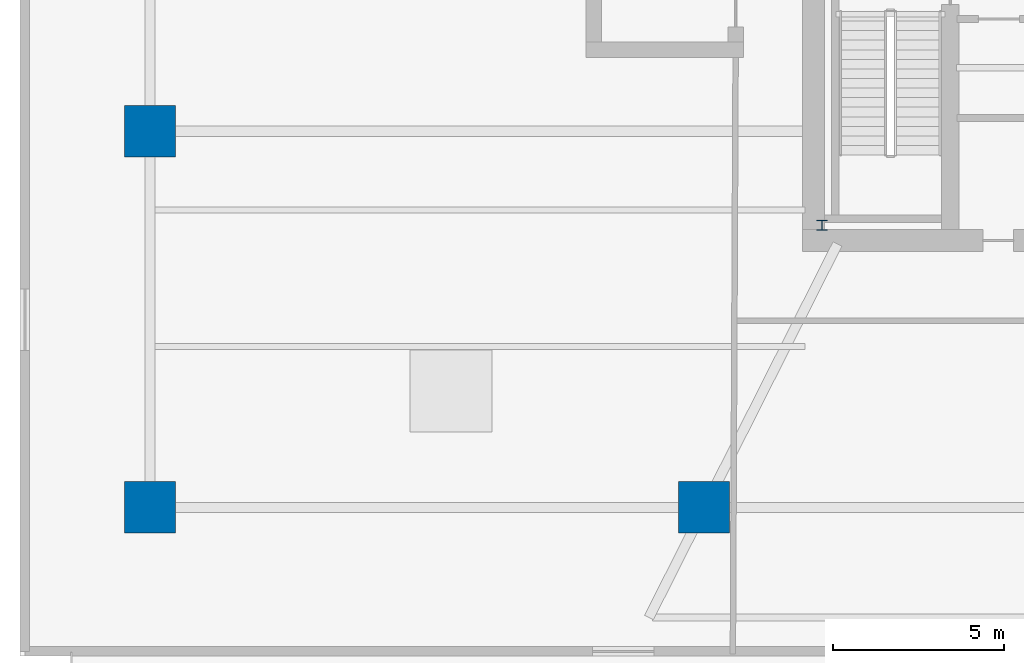
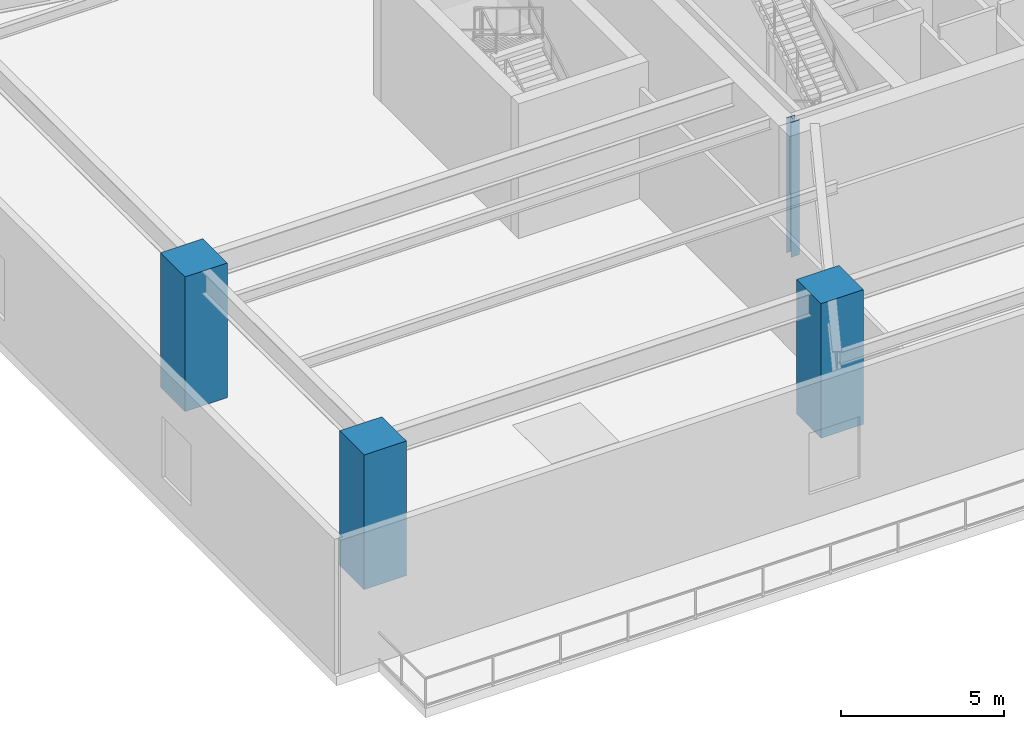
# One storey, part 1 of 11: 4 columns.
"""IFC4 building model written with IfcOpenShell, lengths in metres."""

from ifc_helpers import new_model, si_unit, direction, frame, origin, origin_2d, place, context, subcontext, project, spatial, rectangle, i_section, extrude, material, material_profile, profile_set, type_object, element, save


model = new_model("IFC4")

# Units and contexts
model_context = context("Model", 3, precision=1e-05, world=origin(), true_north=direction((0.0, 1.0)))
body_context = subcontext(model_context, "Body", "Model", "MODEL_VIEW")
ifc_project = project(units=[si_unit("LENGTHUNIT", "METRE"), si_unit("AREAUNIT", "SQUARE_METRE"), si_unit("VOLUMEUNIT", "CUBIC_METRE"), si_unit("PLANEANGLEUNIT", "RADIAN"), si_unit("MASSUNIT", "GRAM", prefix="KILO")], contexts=[model_context])

# Site, building, storey
site_placement = place(None, origin())
site = spatial("IfcSite", under=ifc_project, at=site_placement, CompositionType="ELEMENT")
building_placement = place(site_placement, origin())
building = spatial("IfcBuilding", under=site, at=building_placement, Name="Qarnah Convention Tower", CompositionType="ELEMENT")
storey_placement = place(building_placement, frame((0.0, 0.0, 10.800048828125)))
storey = spatial("IfcBuildingStorey", under=building, at=storey_placement, Name="L02", CompositionType="ELEMENT", Elevation=10.800048828125)

# Columns
ifc_material_1 = material(Name="Concrete C60/75", Category="concrete")
ifc_material_profile_1 = material_profile(ifc_material_1, rectangle(XDim=1.5, YDim=1.5, at=origin_2d()), Name="RC-COL-1500X1500")
ifc_profile_set_1 = profile_set([ifc_material_profile_1], Name="Concrete C60/75")
column_type_1 = type_object("IfcColumnType", Name="COL-MC1500", PredefinedType="COLUMN", material=ifc_profile_set_1)
for number, where, z_axis, x_axis, name in (
    (1, (7.39990234375, 10.800048828125, 0.0), (0.0, 0.0, 1.0), (1.0, 0.0, 0.0), "L02 plumb column MC-01"),
    (2, (23.60009765625, 10.800048828125, 0.0), (0.0, 0.0, 1.0), (1.0, 0.0, 0.0), "L02 plumb column MC-02"),
    (3, (7.39990234375, 21.800048828125, 0.0), (0.0, 0.0, 1.0), (1.0, 0.0, 0.0), "L02 plumb column MC-12"),
):
    element("IfcColumn", number, at=place(storey_placement, frame(where, z_axis=z_axis, x_axis=x_axis)), inside=storey, type_object=column_type_1, Name=name, PredefinedType="COLUMN", context=body_context, shape_type="SweptSolid", body=[
        extrude(rectangle(XDim=1.5, YDim=1.5, at=origin_2d()), origin(), (0.0, 0.0, 1.0), 5.050048828125),
    ])
ifc_material_2 = material(Name="Structural steel S355JR", Category="steel")
ifc_material_profile_2 = material_profile(ifc_material_2, i_section(OverallWidth=0.300048828125, OverallDepth=0.300048828125, WebThickness=0.010986328125, FlangeThickness=0.01904296875, at=origin_2d()), Name="HEB300")
ifc_profile_set_2 = profile_set([ifc_material_profile_2], Name="Structural steel S355JR")
column_type_2 = type_object("IfcColumnType", Name="PIL-SHF-300", PredefinedType="PILASTER", material=ifc_profile_set_2)
column_placement = place(storey_placement, frame((27.050048828125, 19.050048828125, 0.0), z_axis=(0.0, 0.0, 1.0), x_axis=(1.0, 0.0, 0.0)))
element("IfcColumn", 4, at=column_placement, inside=storey, type_object=column_type_2, Name="L02 core spine steel pilaster 1", PredefinedType="PILASTER", context=body_context, shape_type="SweptSolid", body=[
    extrude(i_section(OverallWidth=0.300048828125, OverallDepth=0.300048828125, WebThickness=0.010986328125, FlangeThickness=0.01904296875, at=origin_2d()), origin(), (0.0, 0.0, 1.0), 5.050048828125),
])

save(model, "model.ifc")
